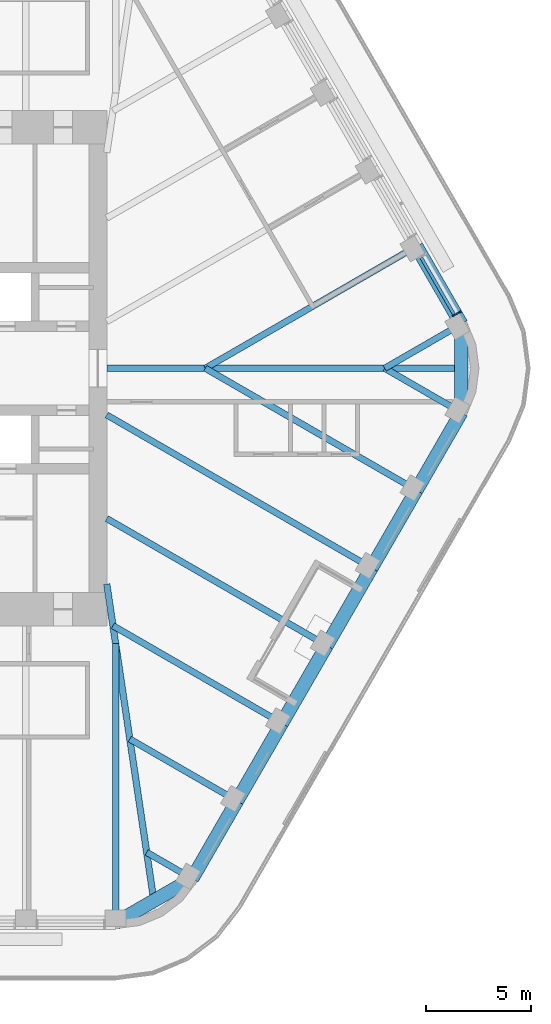
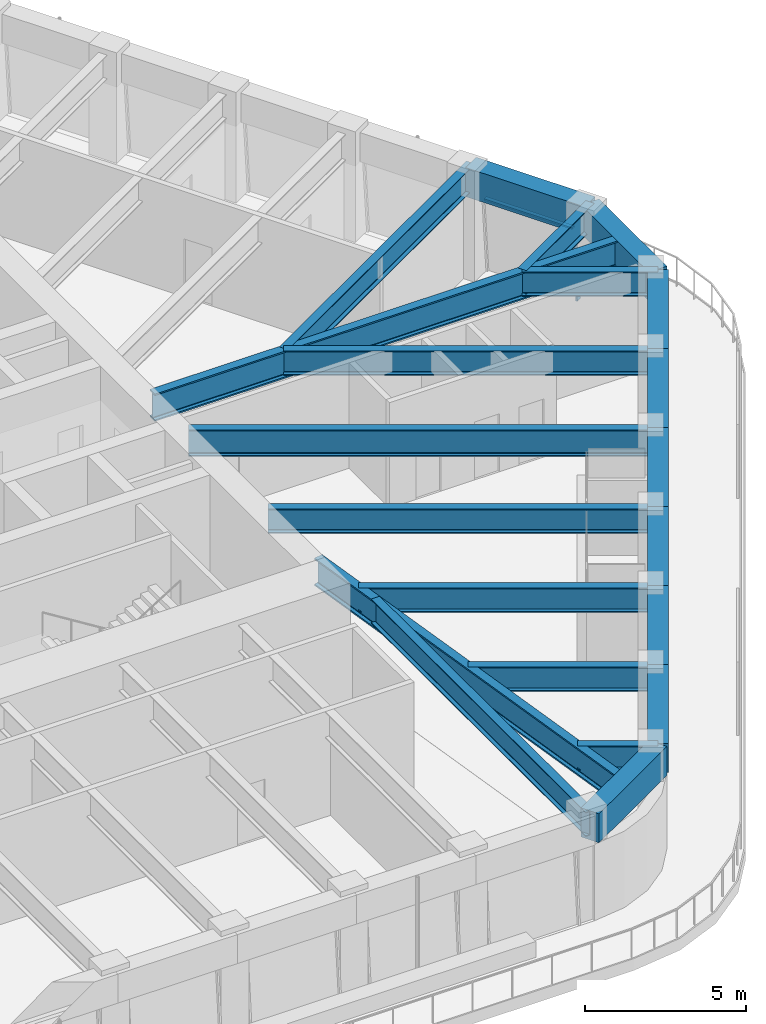
# One storey, part 5 of 19: 21 beams, 2 members, 1 element without a shape of its own.
"""IFC4 building model written with IfcOpenShell, lengths in metres."""

from ifc_helpers import new_model, si_unit, direction, frame, origin, origin_2d, place, context, subcontext, project, spatial, rectangle, i_section, extrude, material, material_profile, profile_set, type_object, element, aggregate, save


model = new_model("IFC4")

# Units and contexts
model_context = context("Model", 3, precision=1e-05, world=origin(), true_north=direction((0.0, 1.0)))
body_context = subcontext(model_context, "Body", "Model", "MODEL_VIEW")
ifc_project = project(units=[si_unit("LENGTHUNIT", "METRE"), si_unit("AREAUNIT", "SQUARE_METRE"), si_unit("VOLUMEUNIT", "CUBIC_METRE"), si_unit("PLANEANGLEUNIT", "RADIAN"), si_unit("MASSUNIT", "GRAM", prefix="KILO")], contexts=[model_context])

# Site, building, storey
site_placement = place(None, origin())
site = spatial("IfcSite", under=ifc_project, at=site_placement, CompositionType="ELEMENT")
building_placement = place(site_placement, origin())
building = spatial("IfcBuilding", under=site, at=building_placement, Name="Tarfa Lantern Tower", CompositionType="ELEMENT")
storey_placement = place(building_placement, frame((0.0, 0.0, 345.10009765625)))
storey = spatial("IfcBuildingStorey", under=building, at=storey_placement, Name="L78", CompositionType="ELEMENT", Elevation=345.10009765625)

# Curtain wall, members
ifc_material_1 = material(Name="Aluminium framed curtain wall", Category="aluminium")
curtain_wall_type = type_object("IfcCurtainWallType", Name="CW4 CANTED GLAZING EXECUTIVE ZONE 2900", PredefinedType="USERDEFINED", material=ifc_material_1)
curtain_wall_placement = place(storey_placement, origin())
curtain_wall = element("IfcCurtainWall", 1, at=curtain_wall_placement, inside=storey, type_object=curtain_wall_type, Name="CW4 NE L78", ObjectType="CURTAIN WALL", PredefinedType="USERDEFINED")
ifc_material_2 = material(Name="Aluminium mullion", Category="aluminium")
ifc_material_profile_1 = material_profile(ifc_material_2, rectangle(XDim=0.06494140625, YDim=0.199951171875, at=origin_2d()), Name="AL MULLION 65x200")
ifc_profile_set_1 = profile_set([ifc_material_profile_1], Name="Aluminium mullion")
member_type_1 = type_object("IfcMemberType", Name="CWM1 MULLION 65x200", PredefinedType="MULLION", material=ifc_profile_set_1)
member_1_placement = place(storey_placement, frame((29.236328125, 2.6611328125, 0.0), z_axis=(-0.074399820079, -0.042945555672, 0.996303340364), x_axis=(0.499919672301, -0.866071776036, 0.0)))
member_1 = element("IfcMember", 2, at=member_1_placement, type_object=member_type_1, Name="CW4 mullion 1", PredefinedType="MULLION", context=body_context, shape_type="SweptSolid", body=[
    extrude(rectangle(XDim=0.06494140625, YDim=0.199951171875, at=origin_2d()), origin(), (0.0, 0.0, 1.0), 2.91064453125),
])
ifc_material_3 = material(Name="Aluminium transom", Category="aluminium")
ifc_material_profile_2 = material_profile(ifc_material_3, rectangle(XDim=0.14990234375, YDim=0.06494140625, at=origin_2d()), Name="AL TRANSOM 150x65")
ifc_profile_set_2 = profile_set([ifc_material_profile_2], Name="Aluminium transom")
member_type_2 = type_object("IfcMemberType", Name="CWT1 TRANSOM 150x65", PredefinedType="USERDEFINED", material=ifc_profile_set_2)
member_2_placement = place(storey_placement, frame((29.006103515625, 2.565673828125, 2.867431640625), z_axis=(-0.500037562771, 0.866003715822, 0.0), x_axis=(-0.866003715822, -0.500037562771, 0.0)))
member_2 = element("IfcMember", 3, at=member_2_placement, type_object=member_type_2, Name="CW4 transom 1.2", ObjectType="TRANSOM", PredefinedType="USERDEFINED", context=body_context, shape_type="SweptSolid", body=[
    extrude(rectangle(XDim=0.14990234375, YDim=0.06494140625, at=origin_2d()), origin(), (0.0, 0.0, 1.0), 3.152099609375),
])
aggregate(curtain_wall, [member_1, member_2])

# Beams
ifc_material_4 = material(Name="Concrete C80/95", Category="concrete")
ifc_material_profile_3 = material_profile(ifc_material_4, rectangle(XDim=0.64990234375, YDim=1.10009765625, at=origin_2d()), Name="RC 650x1100")
ifc_profile_set_3 = profile_set([ifc_material_profile_3], Name="Concrete C80/95")
beam_type_1 = type_object("IfcBeamType", Name="EB4 RC 650x1100", PredefinedType="SPANDREL", material=ifc_profile_set_3)
beam_1_placement = place(storey_placement, frame((29.3466796875, 2.110107421875, 3.449951171875), z_axis=(-0.499984039138, 0.866034618596, 0.0), x_axis=(-0.866034618596, -0.499984039138, 0.0)))
element("IfcBeam", 4, at=beam_1_placement, inside=storey, type_object=beam_type_1, Name="Edge beam NE0", PredefinedType="SPANDREL", context=body_context, shape_type="SweptSolid", body=[
    extrude(rectangle(XDim=0.64990234375, YDim=1.10009765625, at=origin_2d()), origin(), (0.0, 0.0, 1.0), 4.281982421875),
])
beam_2_placement = place(storey_placement, frame((12.845947265625, -26.469970703125, 3.449951171875), z_axis=(0.866048788483, 0.499959494327, 0.0), x_axis=(-0.499959494327, 0.866048788483, 0.0)))
element("IfcBeam", 5, at=beam_2_placement, inside=storey, type_object=beam_type_1, Name="Edge beam S6", PredefinedType="SPANDREL", context=body_context, shape_type="SweptSolid", body=[
    extrude(rectangle(XDim=0.64990234375, YDim=1.10009765625, at=origin_2d()), origin(), (0.0, 0.0, 1.0), 4.219970703125),
])
for number, where, z_axis, x_axis, name in (
    (6, (16.500732421875, -24.360107421875, 3.449951171875), (0.499959351497, 0.866048870937, 0.0), (-0.866048870937, 0.499959351497, 0.0), "Edge beam SE0"),
    (7, (18.6416015625, -20.651611328125, 3.449951171875), (0.500026801138, 0.866009929587, 0.0), (-0.866009929587, 0.500026801138, 0.0), "Edge beam SE1"),
    (8, (20.78271484375, -16.943359375, 3.449951171875), (0.499984039138, 0.866034618596, 0.0), (-0.866034618596, 0.499984039138, 0.0), "Edge beam SE2"),
):
    element("IfcBeam", number, at=place(storey_placement, frame(where, z_axis=z_axis, x_axis=x_axis)), inside=storey, type_object=beam_type_1, Name=name, PredefinedType="SPANDREL", context=body_context, shape_type="SweptSolid", body=[
        extrude(rectangle(XDim=0.64990234375, YDim=1.10009765625, at=origin_2d()), origin(), (0.0, 0.0, 1.0), 4.281982421875),
    ])
beam_3_placement = place(storey_placement, frame((22.923583984375, -13.235107421875, 3.449951171875), z_axis=(0.500002112793, 0.866024183959, 0.0), x_axis=(-0.866024183959, 0.500002112793, 0.0)))
element("IfcBeam", 9, at=beam_3_placement, inside=storey, type_object=beam_type_1, Name="Edge beam SE3", PredefinedType="SPANDREL", context=body_context, shape_type="SweptSolid", body=[
    extrude(rectangle(XDim=0.64990234375, YDim=1.10009765625, at=origin_2d()), origin(), (0.0, 0.0, 1.0), 4.2822265625),
])
for number, where, z_axis, x_axis, name in (
    (10, (25.064697265625, -9.526611328125, 3.449951171875), (0.500026801138, 0.866009929587, 0.0), (-0.866009929587, 0.500026801138, 0.0), "Edge beam SE4"),
    (11, (27.205810546875, -5.818359375, 3.449951171875), (0.499984039138, 0.866034618596, 0.0), (-0.866034618596, 0.499984039138, 0.0), "Edge beam SE5"),
):
    element("IfcBeam", number, at=place(storey_placement, frame(where, z_axis=z_axis, x_axis=x_axis)), inside=storey, type_object=beam_type_1, Name=name, PredefinedType="SPANDREL", context=body_context, shape_type="SweptSolid", body=[
        extrude(rectangle(XDim=0.64990234375, YDim=1.10009765625, at=origin_2d()), origin(), (0.0, 0.0, 1.0), 4.281982421875),
    ])
beam_4_placement = place(storey_placement, frame((29.3466796875, -2.110107421875, 3.449951171875), z_axis=(0.0, 1.0, 0.0), x_axis=(-1.0, 0.0, 0.0)))
element("IfcBeam", 12, at=beam_4_placement, inside=storey, type_object=beam_type_1, Name="Edge beam SE6", PredefinedType="SPANDREL", context=body_context, shape_type="SweptSolid", body=[
    extrude(rectangle(XDim=0.64990234375, YDim=1.10009765625, at=origin_2d()), origin(), (0.0, 0.0, 1.0), 4.22021484375),
])
ifc_material_5 = material(Name="Steel S460M", Category="steel")
ifc_material_profile_4 = material_profile(ifc_material_5, i_section(OverallWidth=0.302001953125, OverallDepth=1.008056640625, WebThickness=0.02099609375, FlangeThickness=0.0400390625, FilletRadius=0.030029296875, at=origin_2d()), Name="UB1016x305x349")
ifc_profile_set_4 = profile_set([ifc_material_profile_4], Name="Steel S460M")
beam_type_2 = type_object("IfcBeamType", Name="UB1016x305x349", PredefinedType="BEAM", material=ifc_profile_set_4)
beam_5_placement = place(storey_placement, frame((25.064697265625, -9.526611328125, 3.495849609375), z_axis=(-0.866029591389, 0.499992746786, 0.0), x_axis=(-0.499992746786, -0.866029591389, 0.0)))
element("IfcBeam", 13, at=beam_5_placement, inside=storey, type_object=beam_type_2, Name="Floor beam SE4", PredefinedType="BEAM", context=body_context, shape_type="SweptSolid", body=[
    extrude(i_section(OverallWidth=0.302001953125, OverallDepth=1.008056640625, WebThickness=0.02099609375, FlangeThickness=0.0400390625, FilletRadius=0.030029296875, at=origin_2d()), origin(), (0.0, 0.0, 1.0), 14.594970703125),
])
ifc_material_profile_5 = material_profile(ifc_material_5, i_section(OverallWidth=0.30859375, OverallDepth=1.036376953125, WebThickness=0.030029296875, FlangeThickness=0.05419921875, FilletRadius=0.030029296875, at=origin_2d()), Name="UB1016x305x487")
ifc_profile_set_5 = profile_set([ifc_material_profile_5], Name="Steel S460M")
beam_type_3 = type_object("IfcBeamType", Name="UB1016x305x487", PredefinedType="BEAM", material=ifc_profile_set_5)
beam_6_placement = place(storey_placement, frame((12.425048828125, 0.0, 3.481689453125), z_axis=(1.0, 0.0, 0.0), x_axis=(0.0, 1.0, 0.0)))
element("IfcBeam", 14, at=beam_6_placement, inside=storey, type_object=beam_type_3, Name="Hip girder E", PredefinedType="BEAM", context=body_context, shape_type="SweptSolid", body=[
    extrude(i_section(OverallWidth=0.30859375, OverallDepth=1.036376953125, WebThickness=0.030029296875, FlangeThickness=0.05419921875, FilletRadius=0.030029296875, at=origin_2d()), origin(), (0.0, 0.0, 1.0), 16.921630859375),
])
beam_7_placement = place(storey_placement, frame((12.425048828125, -10.300048828125, 3.481689453125), z_axis=(0.147127069073, -0.989117599452, 0.0), x_axis=(0.989117599452, 0.147127069073, 0.0)))
element("IfcBeam", 15, at=beam_7_placement, inside=storey, type_object=beam_type_3, Name="Hip girder SE", PredefinedType="BEAM", context=body_context, shape_type="SweptSolid", body=[
    extrude(i_section(OverallWidth=0.30859375, OverallDepth=1.036376953125, WebThickness=0.030029296875, FlangeThickness=0.05419921875, FilletRadius=0.030029296875, at=origin_2d()), origin(), (0.0, 0.0, 1.0), 15.28125),
])
ifc_material_profile_6 = material_profile(ifc_material_5, i_section(OverallWidth=0.305419921875, OverallDepth=0.91845703125, WebThickness=0.017333984375, FlangeThickness=0.02783203125, FilletRadius=0.01904296875, at=origin_2d()), Name="UB914x305x253")
ifc_profile_set_6 = profile_set([ifc_material_profile_6], Name="Steel S460M")
beam_type_4 = type_object("IfcBeamType", Name="UB914x305x253", PredefinedType="BEAM", material=ifc_profile_set_6)
beam_8_placement = place(storey_placement, frame((29.3466796875, 2.110107421875, 3.540771484375), z_axis=(-0.866009274789, -0.500027935199, 0.0), x_axis=(0.500027935199, -0.866009274789, 0.0)))
element("IfcBeam", 16, at=beam_8_placement, inside=storey, type_object=beam_type_4, Name="Floor beam NE0", PredefinedType="BEAM", context=body_context, shape_type="SweptSolid", body=[
    extrude(i_section(OverallWidth=0.305419921875, OverallDepth=0.91845703125, WebThickness=0.017333984375, FlangeThickness=0.02783203125, FilletRadius=0.01904296875, at=origin_2d()), origin(), (0.0, 0.0, 1.0), 4.219970703125),
])
beam_9_placement = place(storey_placement, frame((27.205810546875, 5.818359375, 3.540771484375), z_axis=(-0.866024171998, -0.500002133511, 0.0), x_axis=(0.500002133511, -0.866024171998, 0.0)))
element("IfcBeam", 17, at=beam_9_placement, inside=storey, type_object=beam_type_4, Name="Floor beam NE1", PredefinedType="BEAM", context=body_context, shape_type="SweptSolid", body=[
    extrude(i_section(OverallWidth=0.305419921875, OverallDepth=0.91845703125, WebThickness=0.017333984375, FlangeThickness=0.02783203125, FilletRadius=0.01904296875, at=origin_2d()), origin(), (0.0, 0.0, 1.0), 11.63671875),
])
beam_10_placement = place(storey_placement, frame((12.845947265625, -26.469970703125, 3.540771484375), z_axis=(0.0, 1.0, 0.0), x_axis=(-1.0, 0.0, 0.0)))
element("IfcBeam", 18, at=beam_10_placement, inside=storey, type_object=beam_type_4, Name="Floor beam S6", PredefinedType="BEAM", context=body_context, shape_type="SweptSolid", body=[
    extrude(i_section(OverallWidth=0.305419921875, OverallDepth=0.91845703125, WebThickness=0.017333984375, FlangeThickness=0.02783203125, FilletRadius=0.01904296875, at=origin_2d()), origin(), (0.0, 0.0, 1.0), 13.33935546875),
])
beam_11_placement = place(storey_placement, frame((16.500732421875, -24.360107421875, 3.540771484375), z_axis=(-0.865992557167, 0.500056887695, 0.0), x_axis=(-0.500056887695, -0.865992557167, 0.0)))
element("IfcBeam", 19, at=beam_11_placement, inside=storey, type_object=beam_type_4, Name="Floor beam SE0", PredefinedType="BEAM", context=body_context, shape_type="SweptSolid", body=[
    extrude(i_section(OverallWidth=0.305419921875, OverallDepth=0.91845703125, WebThickness=0.017333984375, FlangeThickness=0.02783203125, FilletRadius=0.01904296875, at=origin_2d()), origin(), (0.0, 0.0, 1.0), 2.506591796875),
])
beam_12_placement = place(storey_placement, frame((18.6416015625, -20.651611328125, 3.540771484375), z_axis=(-0.866024549157, 0.500001480256, 0.0), x_axis=(-0.500001480256, -0.866024549157, 0.0)))
element("IfcBeam", 20, at=beam_12_placement, inside=storey, type_object=beam_type_4, Name="Floor beam SE1", PredefinedType="BEAM", context=body_context, shape_type="SweptSolid", body=[
    extrude(i_section(OverallWidth=0.305419921875, OverallDepth=0.91845703125, WebThickness=0.017333984375, FlangeThickness=0.02783203125, FilletRadius=0.01904296875, at=origin_2d()), origin(), (0.0, 0.0, 1.0), 5.90771484375),
])
beam_13_placement = place(storey_placement, frame((20.78271484375, -16.943359375, 3.540771484375), z_axis=(-0.866021806508, 0.500006230613, 0.0), x_axis=(-0.500006230613, -0.866021806508, 0.0)))
element("IfcBeam", 21, at=beam_13_placement, inside=storey, type_object=beam_type_4, Name="Floor beam SE2", PredefinedType="BEAM", context=body_context, shape_type="SweptSolid", body=[
    extrude(i_section(OverallWidth=0.305419921875, OverallDepth=0.91845703125, WebThickness=0.017333984375, FlangeThickness=0.02783203125, FilletRadius=0.01904296875, at=origin_2d()), origin(), (0.0, 0.0, 1.0), 9.30908203125),
])
beam_14_placement = place(storey_placement, frame((22.923583984375, -13.235107421875, 3.540771484375), z_axis=(-0.86601856927, 0.500011837539, 0.0), x_axis=(-0.500011837539, -0.86601856927, 0.0)))
element("IfcBeam", 22, at=beam_14_placement, inside=storey, type_object=beam_type_4, Name="Floor beam SE3", PredefinedType="BEAM", context=body_context, shape_type="SweptSolid", body=[
    extrude(i_section(OverallWidth=0.305419921875, OverallDepth=0.91845703125, WebThickness=0.017333984375, FlangeThickness=0.02783203125, FilletRadius=0.01904296875, at=origin_2d()), origin(), (0.0, 0.0, 1.0), 12.122802734375),
])
beam_15_placement = place(storey_placement, frame((27.205810546875, -5.818359375, 3.540771484375), z_axis=(-0.866024171998, 0.500002133511, 0.0), x_axis=(-0.500002133511, -0.866024171998, 0.0)))
element("IfcBeam", 23, at=beam_15_placement, inside=storey, type_object=beam_type_4, Name="Floor beam SE5", PredefinedType="BEAM", context=body_context, shape_type="SweptSolid", body=[
    extrude(i_section(OverallWidth=0.305419921875, OverallDepth=0.91845703125, WebThickness=0.017333984375, FlangeThickness=0.02783203125, FilletRadius=0.01904296875, at=origin_2d()), origin(), (0.0, 0.0, 1.0), 11.63671875),
])
beam_16_placement = place(storey_placement, frame((29.3466796875, -2.110107421875, 3.540771484375), z_axis=(-0.866009274789, 0.500027935199, 0.0), x_axis=(-0.500027935199, -0.866009274789, 0.0)))
element("IfcBeam", 24, at=beam_16_placement, inside=storey, type_object=beam_type_4, Name="Floor beam SE6", PredefinedType="BEAM", context=body_context, shape_type="SweptSolid", body=[
    extrude(i_section(OverallWidth=0.305419921875, OverallDepth=0.91845703125, WebThickness=0.017333984375, FlangeThickness=0.02783203125, FilletRadius=0.01904296875, at=origin_2d()), origin(), (0.0, 0.0, 1.0), 4.219970703125),
])

save(model, "model.ifc")
